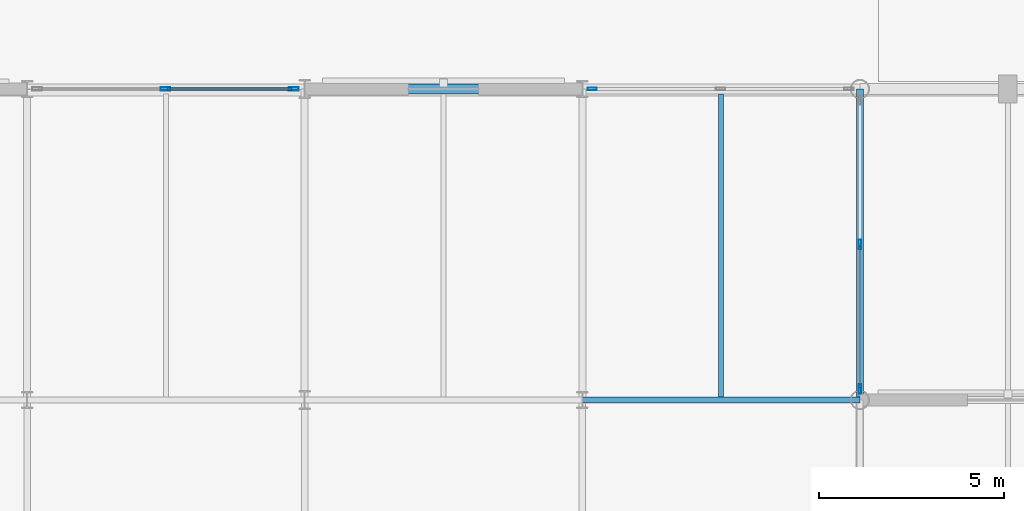
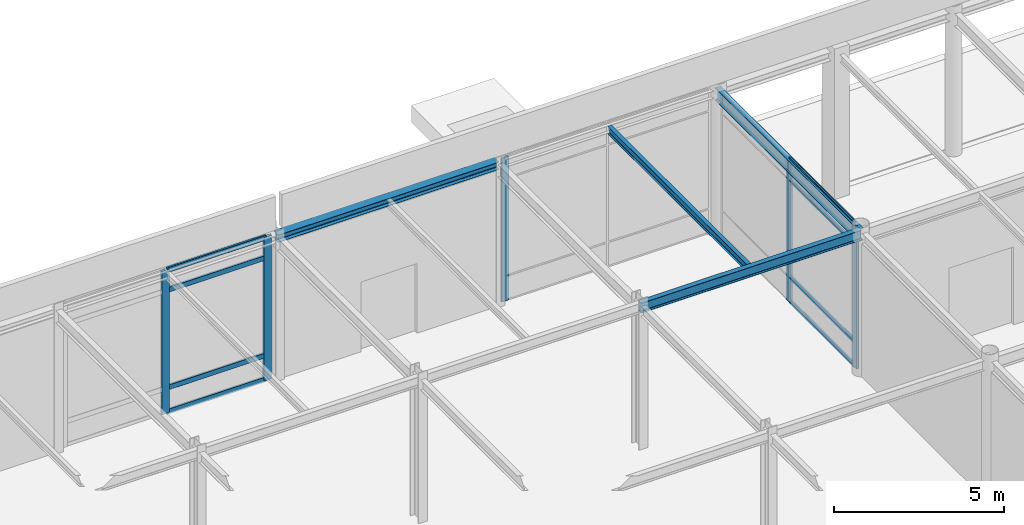
# One storey, part 34 of 89: 13 members, 4 beams, 3 elements without a shape of their own.
"""IFC4 building model written with IfcOpenShell, lengths in metres."""

from ifc_helpers import new_model, si_unit, direction, frame, origin, origin_2d, place, context, subcontext, project, spatial, hollow_rectangle, i_section, extrude, material, layer, layer_set, material_profile, profile_set, type_object, element, aggregate, save


model = new_model("IFC4")

# Units and contexts
model_context = context("Model", 3, precision=1e-05, world=origin(), true_north=direction((0.0, 1.0)))
body_context = subcontext(model_context, "Body", "Model", "MODEL_VIEW")
ifc_project = project(units=[si_unit("LENGTHUNIT", "METRE"), si_unit("AREAUNIT", "SQUARE_METRE"), si_unit("VOLUMEUNIT", "CUBIC_METRE"), si_unit("PLANEANGLEUNIT", "RADIAN"), si_unit("MASSUNIT", "GRAM", prefix="KILO")], contexts=[model_context])

# Site, building, storey
site_placement = place(None, origin())
site = spatial("IfcSite", under=ifc_project, at=site_placement, CompositionType="ELEMENT")
building_placement = place(site_placement, origin())
building = spatial("IfcBuilding", under=site, at=building_placement, Name="Shalkamar Park Central Library", CompositionType="ELEMENT")
storey_placement = place(building_placement, origin())
storey = spatial("IfcBuildingStorey", under=building, at=storey_placement, Name="L01", CompositionType="ELEMENT", Elevation=0.0)

# Beam
ifc_material_1 = material(Name="Steel S355", Category="steel")
ifc_material_profile_1 = material_profile(ifc_material_1, i_section(OverallWidth=0.135009765625, OverallDepth=0.27001953125, WebThickness=0.006591796875, FlangeThickness=0.01025390625, FilletRadius=0.014892578125, at=origin_2d()), Name="IPE 270")
ifc_profile_set_1 = profile_set([ifc_material_profile_1], Name="Steel S355")
beam_type_1 = type_object("IfcBeamType", Name="Composite Floor Joist IPE270", PredefinedType="JOIST", material=ifc_profile_set_1)
beam_1_placement = place(storey_placement, frame((161.25, 345.68310546875, 5.0048828125), z_axis=(0.0, 1.0, 0.0), x_axis=(-1.0, 0.0, 0.0)))
element("IfcBeam", 1, at=beam_1_placement, inside=storey, type_object=beam_type_1, Name="Composite Joist 06/Q-1 (L01)", PredefinedType="JOIST", context=body_context, shape_type="SweptSolid", body=[
    extrude(i_section(OverallWidth=0.135009765625, OverallDepth=0.27001953125, WebThickness=0.006591796875, FlangeThickness=0.01025390625, FilletRadius=0.014892578125, at=origin_2d()), origin(), (0.0, 0.0, 1.0), 8.178955078125),
])

# Curtain wall, member
ifc_material_2 = material(Name="Thermally broken aluminium and triple low-e curtain wall", Category="aluminium")
ifc_layer_1 = layer(ifc_material_2, 0.25)
ifc_layer_set_1 = layer_set([ifc_layer_1], Name="UnitisedCurtainWall_07")
curtain_wall_type_1 = type_object("IfcCurtainWallType", Name="Unitised Curtain Wall 07", PredefinedType="USERDEFINED", material=ifc_layer_set_1)
curtain_wall_1_placement = place(storey_placement, origin())
curtain_wall_1 = element("IfcCurtainWall", 2, at=curtain_wall_1_placement, inside=storey, type_object=curtain_wall_type_1, Name="Unitised Curtain Wall CW-L01-007", ObjectType="UNITISED CURTAIN WALL", PredefinedType="USERDEFINED")
ifc_material_3 = material(Name="Aluminium 6060-T66", Category="aluminium")
ifc_material_profile_2 = material_profile(ifc_material_3, hollow_rectangle(XDim=0.074951171875, YDim=0.25, WallThickness=0.00390625, InnerFilletRadius=0.00390625, OuterFilletRadius=0.006103515625, at=origin_2d()), Name="ALU 75x250x4")
ifc_profile_set_2 = profile_set([ifc_material_profile_2], Name="Aluminium 6060-T66")
member_type_1 = type_object("IfcMemberType", Name="Curtain Wall Mullion ALU75x250", PredefinedType="MULLION", material=ifc_profile_set_2)
member_1_placement = place(storey_placement, frame((157.7666015625, 354.0, 0.0), z_axis=(0.0, 0.0, 1.0), x_axis=(0.0, 1.0, 0.0)))
member_1 = element("IfcMember", 3, at=member_1_placement, type_object=member_type_1, Name="CW-07 mullion 1", PredefinedType="MULLION", context=body_context, shape_type="SweptSolid", body=[
    extrude(hollow_rectangle(XDim=0.074951171875, YDim=0.25, WallThickness=0.00390625, InnerFilletRadius=0.00390625, OuterFilletRadius=0.006103515625, at=origin_2d()), origin(), (0.0, 0.0, 1.0), 5.14990234375),
])
aggregate(curtain_wall_1, [member_1])

# Curtain wall, members
ifc_layer_2 = layer(ifc_material_2, 0.25)
ifc_layer_set_2 = layer_set([ifc_layer_2], Name="UnitisedCurtainWall_14")
curtain_wall_type_2 = type_object("IfcCurtainWallType", Name="Unitised Curtain Wall 14", PredefinedType="USERDEFINED", material=ifc_layer_set_2)
curtain_wall_2_placement = place(storey_placement, origin())
curtain_wall_2 = element("IfcCurtainWall", 4, at=curtain_wall_2_placement, inside=storey, type_object=curtain_wall_type_2, Name="Unitised Curtain Wall CW-L01-015", ObjectType="UNITISED CURTAIN WALL", PredefinedType="USERDEFINED")
member_2_placement = place(storey_placement, frame((165.0, 345.8955078125, 0.0), z_axis=(0.0, 0.0, 1.0), x_axis=(-1.0, 0.0, 0.0)))
member_2 = element("IfcMember", 5, at=member_2_placement, type_object=member_type_1, Name="CW-14 mullion 1", PredefinedType="MULLION", context=body_context, shape_type="SweptSolid", body=[
    extrude(hollow_rectangle(XDim=0.074951171875, YDim=0.25, WallThickness=0.00390625, InnerFilletRadius=0.00390625, OuterFilletRadius=0.006103515625, at=origin_2d()), origin(), (0.0, 0.0, 1.0), 5.139892578125),
])
member_3_placement = place(storey_placement, frame((165.0, 349.800048828125, 0.0), z_axis=(0.0, 0.0, 1.0), x_axis=(-1.0, 0.0, 0.0)))
member_3 = element("IfcMember", 6, at=member_3_placement, type_object=member_type_1, Name="CW-14 mullion 2", PredefinedType="MULLION", context=body_context, shape_type="SweptSolid", body=[
    extrude(hollow_rectangle(XDim=0.074951171875, YDim=0.25, WallThickness=0.00390625, InnerFilletRadius=0.00390625, OuterFilletRadius=0.006103515625, at=origin_2d()), origin(), (0.0, 0.0, 1.0), 5.139892578125),
])

ifc_layer_3 = layer(ifc_material_2, 0.264892578125)
ifc_layer_set_3 = layer_set([ifc_layer_3], Name="UnitisedCurtainWall_06")
curtain_wall_type_3 = type_object("IfcCurtainWallType", Name="Unitised Curtain Wall 06", PredefinedType="USERDEFINED", material=ifc_layer_set_3)
curtain_wall_3_placement = place(storey_placement, origin())
curtain_wall_3 = element("IfcCurtainWall", 7, at=curtain_wall_3_placement, inside=storey, type_object=curtain_wall_type_3, Name="Unitised Curtain Wall CW-L01-006", ObjectType="UNITISED CURTAIN WALL", PredefinedType="USERDEFINED")
ifc_material_profile_3 = material_profile(ifc_material_3, hollow_rectangle(XDim=0.0849609375, YDim=0.264892578125, WallThickness=0.0048828125, InnerFilletRadius=0.0048828125, OuterFilletRadius=0.007568359375, at=origin_2d()), Name="ALU 85x265x5")
ifc_profile_set_3 = profile_set([ifc_material_profile_3], Name="Aluminium 6060-T66")
member_type_2 = type_object("IfcMemberType", Name="Curtain Wall Mullion ALU85x265", PredefinedType="MULLION", material=ifc_profile_set_3)
member_4_placement = place(storey_placement, frame((146.237548828125, 354.0, 0.0), z_axis=(0.0, 0.0, 1.0), x_axis=(0.0, 1.0, 0.0)))
member_4 = element("IfcMember", 8, at=member_4_placement, type_object=member_type_2, Name="CW-06 mullion 2", PredefinedType="MULLION", context=body_context, shape_type="SweptSolid", body=[
    extrude(hollow_rectangle(XDim=0.0849609375, YDim=0.264892578125, WallThickness=0.0048828125, InnerFilletRadius=0.0048828125, OuterFilletRadius=0.007568359375, at=origin_2d()), origin(), (0.0, 0.0, 1.0), 5.14990234375),
])
member_5_placement = place(storey_placement, frame((149.70361328125, 354.0, 0.0), z_axis=(0.0, 0.0, 1.0), x_axis=(0.0, 1.0, 0.0)))
member_5 = element("IfcMember", 9, at=member_5_placement, type_object=member_type_2, Name="CW-06 mullion 3", PredefinedType="MULLION", context=body_context, shape_type="SweptSolid", body=[
    extrude(hollow_rectangle(XDim=0.0849609375, YDim=0.264892578125, WallThickness=0.0048828125, InnerFilletRadius=0.0048828125, OuterFilletRadius=0.007568359375, at=origin_2d()), origin(), (0.0, 0.0, 1.0), 5.14990234375),
])

# Member
ifc_material_profile_4 = material_profile(ifc_material_3, hollow_rectangle(XDim=0.06005859375, YDim=0.159912109375, WallThickness=0.00390625, InnerFilletRadius=0.00390625, OuterFilletRadius=0.006103515625, at=origin_2d()), Name="ALU 60x160x4")
ifc_profile_set_4 = profile_set([ifc_material_profile_4], Name="Aluminium 6060-T66")
member_type_3 = type_object("IfcMemberType", Name="Curtain Wall Transom ALU60x160", PredefinedType="USERDEFINED", material=ifc_profile_set_4)
member_6_placement = place(storey_placement, frame((165.0, 345.93310546875, 0.030029296875), z_axis=(0.0, 1.0, 0.0), x_axis=(-1.0, 0.0, 0.0)))
member_6 = element("IfcMember", 10, at=member_6_placement, type_object=member_type_3, Name="CW-14 transom 1.1", ObjectType="TRANSOM", PredefinedType="USERDEFINED", context=body_context, shape_type="SweptSolid", body=[
    extrude(hollow_rectangle(XDim=0.06005859375, YDim=0.159912109375, WallThickness=0.00390625, InnerFilletRadius=0.00390625, OuterFilletRadius=0.006103515625, at=origin_2d()), origin(), (0.0, 0.0, 1.0), 3.829345703125),
])

member_7_placement = place(storey_placement, frame((165.0, 345.93310546875, 0.89990234375), z_axis=(0.0, 1.0, 0.0), x_axis=(-1.0, 0.0, 0.0)))
member_7 = element("IfcMember", 11, at=member_7_placement, type_object=member_type_3, Name="CW-14 transom 1.2", ObjectType="TRANSOM", PredefinedType="USERDEFINED", context=body_context, shape_type="SweptSolid", body=[
    extrude(hollow_rectangle(XDim=0.06005859375, YDim=0.159912109375, WallThickness=0.00390625, InnerFilletRadius=0.00390625, OuterFilletRadius=0.006103515625, at=origin_2d()), origin(), (0.0, 0.0, 1.0), 3.829345703125),
])

member_8_placement = place(storey_placement, frame((165.0, 345.93310546875, 4.389892578125), z_axis=(0.0, 1.0, 0.0), x_axis=(-1.0, 0.0, 0.0)))
member_8 = element("IfcMember", 12, at=member_8_placement, type_object=member_type_3, Name="CW-14 transom 1.3", ObjectType="TRANSOM", PredefinedType="USERDEFINED", context=body_context, shape_type="SweptSolid", body=[
    extrude(hollow_rectangle(XDim=0.06005859375, YDim=0.159912109375, WallThickness=0.00390625, InnerFilletRadius=0.00390625, OuterFilletRadius=0.006103515625, at=origin_2d()), origin(), (0.0, 0.0, 1.0), 3.829345703125),
])

member_9_placement = place(storey_placement, frame((165.0, 345.93310546875, 5.110107421875), z_axis=(0.0, 1.0, 0.0), x_axis=(-1.0, 0.0, 0.0)))
member_9 = element("IfcMember", 13, at=member_9_placement, type_object=member_type_3, Name="CW-14 transom 1.4", ObjectType="TRANSOM", PredefinedType="USERDEFINED", context=body_context, shape_type="SweptSolid", body=[
    extrude(hollow_rectangle(XDim=0.06005859375, YDim=0.159912109375, WallThickness=0.00390625, InnerFilletRadius=0.00390625, OuterFilletRadius=0.006103515625, at=origin_2d()), origin(), (0.0, 0.0, 1.0), 3.829345703125),
])

aggregate(curtain_wall_2, [member_2, member_3, member_6, member_7, member_8, member_9])

ifc_material_profile_5 = material_profile(ifc_material_3, hollow_rectangle(XDim=0.070068359375, YDim=0.179931640625, WallThickness=0.00439453125, InnerFilletRadius=0.00439453125, OuterFilletRadius=0.0068359375, at=origin_2d()), Name="ALU 70x180x4.5")
ifc_profile_set_5 = profile_set([ifc_material_profile_5], Name="Aluminium 6060-T66")
member_type_4 = type_object("IfcMemberType", Name="Curtain Wall Transom ALU70x180", PredefinedType="USERDEFINED", material=ifc_profile_set_5)
member_10_placement = place(storey_placement, frame((146.280029296875, 354.0, 0.034912109375), z_axis=(1.0, 0.0, 0.0), x_axis=(0.0, 1.0, 0.0)))
member_10 = element("IfcMember", 14, at=member_10_placement, type_object=member_type_4, Name="CW-06 transom 2.1", ObjectType="TRANSOM", PredefinedType="USERDEFINED", context=body_context, shape_type="SweptSolid", body=[
    extrude(hollow_rectangle(XDim=0.070068359375, YDim=0.179931640625, WallThickness=0.00439453125, InnerFilletRadius=0.00439453125, OuterFilletRadius=0.0068359375, at=origin_2d()), origin(), (0.0, 0.0, 1.0), 3.380859375),
])

member_11_placement = place(storey_placement, frame((146.280029296875, 354.0, 0.89990234375), z_axis=(1.0, 0.0, 0.0), x_axis=(0.0, 1.0, 0.0)))
member_11 = element("IfcMember", 15, at=member_11_placement, type_object=member_type_4, Name="CW-06 transom 2.2", ObjectType="TRANSOM", PredefinedType="USERDEFINED", context=body_context, shape_type="SweptSolid", body=[
    extrude(hollow_rectangle(XDim=0.070068359375, YDim=0.179931640625, WallThickness=0.00439453125, InnerFilletRadius=0.00439453125, OuterFilletRadius=0.0068359375, at=origin_2d()), origin(), (0.0, 0.0, 1.0), 3.380859375),
])

member_12_placement = place(storey_placement, frame((146.280029296875, 354.0, 4.39990234375), z_axis=(1.0, 0.0, 0.0), x_axis=(0.0, 1.0, 0.0)))
member_12 = element("IfcMember", 16, at=member_12_placement, type_object=member_type_4, Name="CW-06 transom 2.3", ObjectType="TRANSOM", PredefinedType="USERDEFINED", context=body_context, shape_type="SweptSolid", body=[
    extrude(hollow_rectangle(XDim=0.070068359375, YDim=0.179931640625, WallThickness=0.00439453125, InnerFilletRadius=0.00439453125, OuterFilletRadius=0.0068359375, at=origin_2d()), origin(), (0.0, 0.0, 1.0), 3.380859375),
])

member_13_placement = place(storey_placement, frame((146.280029296875, 354.0, 5.114990234375), z_axis=(1.0, 0.0, 0.0), x_axis=(0.0, 1.0, 0.0)))
member_13 = element("IfcMember", 17, at=member_13_placement, type_object=member_type_4, Name="CW-06 transom 2.4", ObjectType="TRANSOM", PredefinedType="USERDEFINED", context=body_context, shape_type="SweptSolid", body=[
    extrude(hollow_rectangle(XDim=0.070068359375, YDim=0.179931640625, WallThickness=0.00439453125, InnerFilletRadius=0.00439453125, OuterFilletRadius=0.0068359375, at=origin_2d()), origin(), (0.0, 0.0, 1.0), 3.380859375),
])

aggregate(curtain_wall_3, [member_4, member_5, member_10, member_11, member_12, member_13])

# Beams
ifc_material_profile_6 = material_profile(ifc_material_1, i_section(OverallWidth=0.280029296875, OverallDepth=0.27001953125, WebThickness=0.008056640625, FlangeThickness=0.012939453125, FilletRadius=0.02392578125, at=origin_2d()), Name="HEA 280")
ifc_profile_set_6 = profile_set([ifc_material_profile_6], Name="Steel S355")
beam_type_2 = type_object("IfcBeamType", Name="Perimeter Spandrel Beam HEA280", PredefinedType="SPANDREL", material=ifc_profile_set_6)
beam_2_placement = place(storey_placement, frame((150.0, 354.0, 5.014892578125), z_axis=(1.0, 0.0, 0.0), x_axis=(0.0, 1.0, 0.0)))
element("IfcBeam", 18, at=beam_2_placement, inside=storey, type_object=beam_type_2, Name="Beam R:05-06 (L01)", PredefinedType="SPANDREL", context=body_context, shape_type="SweptSolid", body=[
    extrude(i_section(OverallWidth=0.280029296875, OverallDepth=0.27001953125, WebThickness=0.008056640625, FlangeThickness=0.012939453125, FilletRadius=0.02392578125, at=origin_2d()), origin(), (0.0, 0.0, 1.0), 7.5),
])
ifc_material_profile_7 = material_profile(ifc_material_1, i_section(OverallWidth=0.169921875, OverallDepth=0.360107421875, WebThickness=0.008056640625, FlangeThickness=0.0126953125, FilletRadius=0.01806640625, at=origin_2d()), Name="IPE 360")
ifc_profile_set_7 = profile_set([ifc_material_profile_7], Name="Steel S355")
beam_type_3 = type_object("IfcBeamType", Name="Primary Girder IPE360", PredefinedType="BEAM", material=ifc_profile_set_7)
beam_3_placement = place(storey_placement, frame((157.5, 345.60009765625, 4.9599609375), z_axis=(1.0, 0.0, 0.0), x_axis=(0.0, 1.0, 0.0)))
element("IfcBeam", 19, at=beam_3_placement, inside=storey, type_object=beam_type_3, Name="Beam Q:06-07 (L01)", PredefinedType="BEAM", context=body_context, shape_type="SweptSolid", body=[
    extrude(i_section(OverallWidth=0.169921875, OverallDepth=0.360107421875, WebThickness=0.008056640625, FlangeThickness=0.0126953125, FilletRadius=0.01806640625, at=origin_2d()), origin(), (0.0, 0.0, 1.0), 7.5),
])
ifc_material_profile_8 = material_profile(ifc_material_1, i_section(OverallWidth=0.18994140625, OverallDepth=0.449951171875, WebThickness=0.009521484375, FlangeThickness=0.0146484375, FilletRadius=0.02099609375, at=origin_2d()), Name="IPE 450")
ifc_profile_set_8 = profile_set([ifc_material_profile_8], Name="Steel S355")
beam_type_4 = type_object("IfcBeamType", Name="Primary Girder IPE450", PredefinedType="BEAM", material=ifc_profile_set_8)
beam_4_placement = place(storey_placement, frame((165.0, 345.60009765625, 4.9150390625), z_axis=(0.0, 1.0, 0.0), x_axis=(-1.0, 0.0, 0.0)))
element("IfcBeam", 20, at=beam_4_placement, inside=storey, type_object=beam_type_4, Name="Beam 07:Q-R (L01)", PredefinedType="BEAM", context=body_context, shape_type="SweptSolid", body=[
    extrude(i_section(OverallWidth=0.18994140625, OverallDepth=0.449951171875, WebThickness=0.009521484375, FlangeThickness=0.0146484375, FilletRadius=0.02099609375, at=origin_2d()), origin(), (0.0, 0.0, 1.0), 8.39990234375),
])

save(model, "model.ifc")
